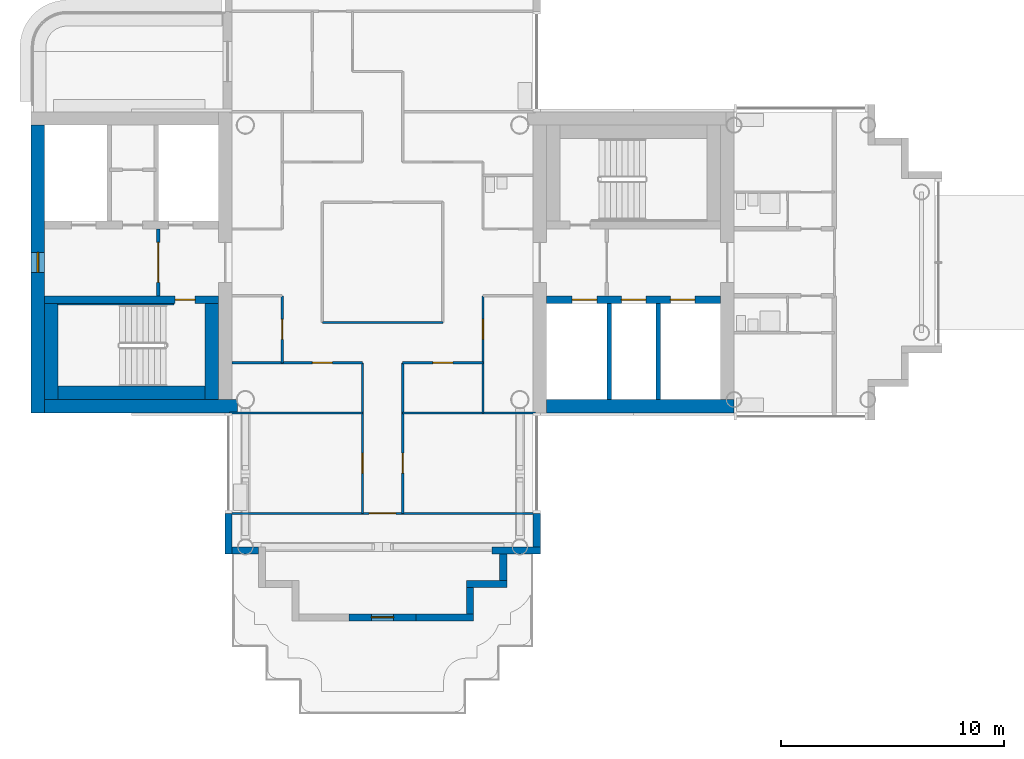
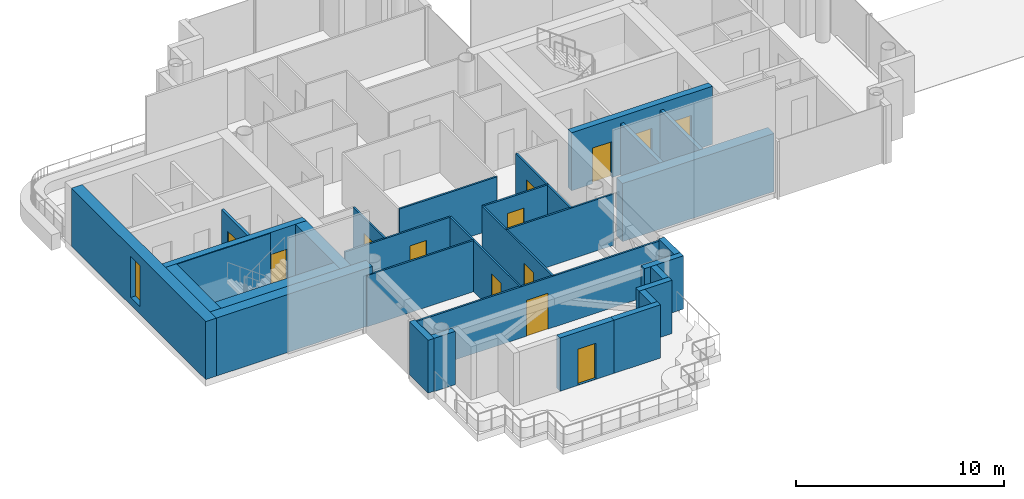
# One storey, part 7 of 19: 31 walls, 13 doors, 1 window, 14 openings.
"""IFC4 building model written with IfcOpenShell, lengths in metres."""

import ifcopenshell
import ifcopenshell.guid

model = None  # the IFC model being written
_history = None  # IfcOwnerHistory: only IFC2X3 demands one
_inside = {}  # id of a spatial element -> (the spatial element, [elements in it])
_under = {}  # id of a project, library or spatial element -> (it, [spatial elements below it])
_declared = {}  # id of a project -> (the project, [libraries it declares])
_typed = {}  # id of a type object -> (the type object, [elements of that type])
_made_of = {}  # id of a material, layer set ... -> (it, [elements and type objects made of it])


def new_model(schema):
    """Start an empty IFC model of exactly this schema.

    Asked for "IFC4X3", IfcOpenShell would pick the latest addendum, in which some entities
    have other attributes; the version numbers below select the first issue.
    IFC2X3 requires an IfcOwnerHistory on every rooted entity: one is made here for all.
    """
    global model, _history
    if schema == "IFC4X3":
        model = ifcopenshell.file(schema_version=(4, 3, 0, 0))
    else:
        model = ifcopenshell.file(schema=schema)
    _inside.clear()
    _under.clear()
    _declared.clear()
    _typed.clear()
    _made_of.clear()
    _history = None
    if model.schema == "IFC2X3":
        org = make("IfcOrganization", Name="unknown")
        user = make(
            "IfcPersonAndOrganization",
            ThePerson=make("IfcPerson", FamilyName="unknown"),
            TheOrganization=org,
        )
        app = make(
            "IfcApplication",
            ApplicationDeveloper=org,
            Version="unknown",
            ApplicationFullName="unknown",
            ApplicationIdentifier="unknown",
        )
        _history = make(
            "IfcOwnerHistory",
            OwningUser=user,
            OwningApplication=app,
            ChangeAction="ADDED",
            CreationDate=0,
        )
    return model


def make(cls, **values):
    """One entity of the class cls with the attributes given. An attribute that is None is left unset."""
    return model.create_entity(
        cls, **{name: value for name, value in values.items() if value is not None}
    )


def rooted(cls, **values):
    """An entity with a GlobalId (a new one), such as an element, a storey or a relation."""
    return make(cls, GlobalId=ifcopenshell.guid.new(), OwnerHistory=_history, **values)


def si_unit(unit_type, name, prefix=None):
    """IfcSIUnit, for example si_unit("LENGTHUNIT", "METRE", prefix="MILLI")."""
    return make("IfcSIUnit", UnitType=unit_type, Prefix=prefix, Name=name)


def assignment(units):
    """IfcUnitAssignment: the units of a project."""
    return None if units is None else make("IfcUnitAssignment", Units=units)


def point(xyz):
    """IfcCartesianPoint."""
    return None if xyz is None else make("IfcCartesianPoint", Coordinates=xyz)


def direction(xyz):
    """IfcDirection."""
    return None if xyz is None else make("IfcDirection", DirectionRatios=xyz)


def frame(location, z_axis=None, x_axis=None):
    """IfcAxis2Placement3D, a coordinate frame: its origin and axes. An axis left out is left unset."""
    return make(
        "IfcAxis2Placement3D",
        Location=point(location),
        Axis=direction(z_axis),
        RefDirection=direction(x_axis),
    )


def frame_2d(location, x_axis=None):
    """IfcAxis2Placement2D, a coordinate frame in the plane: its origin and x axis."""
    return make(
        "IfcAxis2Placement2D", Location=point(location), RefDirection=direction(x_axis)
    )


def origin():
    """The frame at (0, 0, 0) with its axes left unset."""
    return frame((0.0, 0.0, 0.0))


def place(relative_to, where):
    """IfcLocalPlacement: puts the frame where relative to a parent placement (None: the world)."""
    return make(
        "IfcLocalPlacement", PlacementRelTo=relative_to, RelativePlacement=where
    )


def context(
    kind, dimensions, precision=None, world=None, true_north=None, identifier=None
):
    """IfcGeometricRepresentationContext, for example the 3D "Model" context."""
    return make(
        "IfcGeometricRepresentationContext",
        ContextIdentifier=identifier,
        ContextType=kind,
        CoordinateSpaceDimension=dimensions,
        Precision=precision,
        WorldCoordinateSystem=world,
        TrueNorth=true_north,
    )


def subcontext(parent, identifier, kind, view, scale=None):
    """IfcGeometricRepresentationSubContext, for example "Body" below "Model"."""
    return make(
        "IfcGeometricRepresentationSubContext",
        ContextIdentifier=identifier,
        ContextType=kind,
        ParentContext=parent,
        TargetScale=scale,
        TargetView=view,
    )


def project(units=None, contexts=None):
    """IfcProject with its units and contexts."""
    return rooted(
        "IfcProject",
        Name="project",
        RepresentationContexts=contexts,
        UnitsInContext=assignment(units),
    )


def spatial(cls, under=None, at=None, **own):
    """A site, building, storey or space (cls), placed at a placement, below another one or the project."""
    s = rooted(cls, ObjectPlacement=at, **own)
    if under is not None:
        _under.setdefault(under.id(), (under, []))[1].append(s)
    return s


def profile(cls, at=None, kind="AREA", **sizes):
    """A parametric profile (cls). Its sizes go by their IFC names, for example OverallWidth=200.0."""
    return make(cls, ProfileType=kind, Position=at, **sizes)


def rectangle(**sizes):
    """IfcRectangleProfileDef."""
    return profile("IfcRectangleProfileDef", **sizes)


def extrude(swept, where, along, depth):
    """IfcExtrudedAreaSolid: the profile swept, set in the frame where, extruded along a direction by depth."""
    return make(
        "IfcExtrudedAreaSolid",
        SweptArea=swept,
        Position=where,
        ExtrudedDirection=direction(along),
        Depth=depth,
    )


def shape(context_of_items, identifier, shape_type, items):
    """IfcShapeRepresentation: the items that make up one representation, for example the "Body"."""
    return make(
        "IfcShapeRepresentation",
        ContextOfItems=context_of_items,
        RepresentationIdentifier=identifier,
        RepresentationType=shape_type,
        Items=items,
    )


def material(Name=None, Category=None):
    """IfcMaterial."""
    return make("IfcMaterial", Name=Name, Category=Category)


def layer(
    of_material, thickness, ventilated=None, Name=None, Category=None, Priority=None
):
    """IfcMaterialLayer: one layer of a wall or slab, of a material (None: an air gap)."""
    return make(
        "IfcMaterialLayer",
        Material=of_material,
        LayerThickness=thickness,
        IsVentilated=ventilated,
        Name=Name,
        Category=Category,
        Priority=Priority,
    )


def layer_set(layers, Name=None):
    """IfcMaterialLayerSet."""
    return make("IfcMaterialLayerSet", MaterialLayers=layers, LayerSetName=Name)


def made_of(thing, what):
    """Note that an element or type object is made of a material, layer set ...; save() writes the relation."""
    if what is not None:
        _made_of.setdefault(what.id(), (what, []))[1].append(thing)
    return thing


def type_object(cls, material=None, **own):
    """A type object (cls), such as IfcWallType, which elements share."""
    return made_of(rooted(cls, **own), material)


def element(
    cls,
    number,
    at=None,
    inside=None,
    cuts=None,
    type_object=None,
    material=None,
    context=None,
    identifier="Body",
    shape_type=None,
    held_by="IfcProductDefinitionShape",
    body=None,
    shapes=None,
    **own,
):
    """One element of the class cls, such as IfcWall. Its Tag is "e" and its number.

    at: its placement. inside: the storey or other place that contains it. cuts: it is an
    opening in that element (IfcRelVoidsElement). A single representation is given by context,
    identifier, shape_type and body (its items); several are given by shapes. held_by: the class
    of the entity that holds the representations. save() writes the other relations.
    """
    e = rooted(cls, Tag="e%d" % number, ObjectPlacement=at, **own)
    if body is not None:
        shapes = [shape(context, identifier, shape_type, body)]
    if shapes is not None:
        e.Representation = make(held_by, Representations=shapes)
    if inside is not None:
        _inside.setdefault(inside.id(), (inside, []))[1].append(e)
    if cuts is not None:
        rooted(
            "IfcRelVoidsElement", RelatingBuildingElement=cuts, RelatedOpeningElement=e
        )
    if type_object is not None:
        _typed.setdefault(type_object.id(), (type_object, []))[1].append(e)
    return made_of(e, material)


def fill(opening, filler):
    """IfcRelFillsElement: the door or window that sits in an opening."""
    return rooted(
        "IfcRelFillsElement",
        RelatingOpeningElement=opening,
        RelatedBuildingElement=filler,
    )


def aggregate(whole, parts):
    """IfcRelAggregates: a whole, such as a stair, and the parts it consists of."""
    return rooted("IfcRelAggregates", RelatingObject=whole, RelatedObjects=parts)


def save(model, path):
    """Write the relations noted so far, then the file.

    IfcRelAggregates (storeys below a building ...), IfcRelContainedInSpatialStructure (elements
    in a storey), IfcRelDefinesByType, IfcRelAssociatesMaterial and IfcRelDeclares: one each for
    every whole, place, type object, material and project.
    """
    for whole, parts in _under.values():
        aggregate(whole, parts)
    for where, things in _inside.values():
        rooted(
            "IfcRelContainedInSpatialStructure",
            RelatedElements=things,
            RelatingStructure=where,
        )
    for kind, things in _typed.values():
        rooted("IfcRelDefinesByType", RelatedObjects=things, RelatingType=kind)
    for what, things in _made_of.values():
        rooted("IfcRelAssociatesMaterial", RelatedObjects=things, RelatingMaterial=what)
    for by, libraries in _declared.values():
        rooted("IfcRelDeclares", RelatingContext=by, RelatedDefinitions=libraries)
    model.write(path)


model = new_model("IFC4")

# Units and contexts
model_context = context("Model", 3, precision=1e-05, world=origin(), true_north=direction((0.0, 1.0)))
body_context = subcontext(model_context, "Body", "Model", "MODEL_VIEW")
ifc_project = project(units=[si_unit("LENGTHUNIT", "METRE"), si_unit("AREAUNIT", "SQUARE_METRE"), si_unit("VOLUMEUNIT", "CUBIC_METRE"), si_unit("PLANEANGLEUNIT", "RADIAN"), si_unit("MASSUNIT", "GRAM", prefix="KILO")], contexts=[model_context])

# Site, building, storey
site_placement = place(None, origin())
site = spatial("IfcSite", under=ifc_project, at=site_placement, CompositionType="ELEMENT")
building_placement = place(site_placement, origin())
building = spatial("IfcBuilding", under=site, at=building_placement, Name="Ipe Terrace Towers", CompositionType="ELEMENT")
storey_placement = place(building_placement, frame((0.0, 0.0, 185.800048828125)))
storey = spatial("IfcBuildingStorey", under=building, at=storey_placement, Name="L51", CompositionType="ELEMENT", Elevation=185.800048828125)

# Walls
ifc_material_1 = material(Name="Concrete C40/50 with buff precast cladding", Category="concrete")
ifc_layer_1 = layer(ifc_material_1, 0.320068359375)
ifc_layer_set_1 = layer_set([ifc_layer_1], Name="BUFF CLADDING WALL 320")
wall_type_1 = type_object("IfcWallType", Name="BUFF CLADDING WALL 320", PredefinedType="STANDARD", material=ifc_layer_set_1)
wall_1_placement = place(storey_placement, frame((-42.909912109375, -11.25, 0.0), z_axis=(0.0, 0.0, 1.0), x_axis=(0.0, -1.0, 0.0)))
element("IfcWall", 1, at=wall_1_placement, inside=storey, type_object=wall_type_1, Name="T1-W-L51-03a wall", PredefinedType="STANDARD", context=body_context, shape_type="SweptSolid", body=[
    extrude(rectangle(XDim=1.820068359375, YDim=0.320068359375, at=frame_2d((0.91015625, 0.0))), origin(), (0.0, 0.0, 1.0), 3.099853515625),
])
wall_2_placement = place(storey_placement, frame((-42.75, -12.909912109375, -0.02001953125), z_axis=(0.0, 0.0, 1.0), x_axis=(1.0, 0.0, 0.0)))
element("IfcWall", 2, at=wall_2_placement, inside=storey, type_object=wall_type_1, Name="T1-W-L51-04a wall", PredefinedType="STANDARD", context=body_context, shape_type="SweptSolid", body=[
    extrude(rectangle(XDim=1.179931640625, YDim=0.320068359375, at=frame_2d((0.58984375, 0.0))), origin(), (0.0, 0.0, 1.0), 3.119873046875),
])

# Wall, opening, door
wall_3_placement = place(storey_placement, frame((-37.5, -15.909912109375, -0.02001953125), z_axis=(0.0, 0.0, 1.0), x_axis=(1.0, 0.0, 0.0)))
wall_3 = element("IfcWall", 3, at=wall_3_placement, inside=storey, type_object=wall_type_1, Name="T1-W-L51-08b wall", PredefinedType="STANDARD", context=body_context, shape_type="SweptSolid", body=[
    extrude(rectangle(XDim=3.0, YDim=0.320068359375, at=frame_2d((1.5, 0.0))), origin(), (0.0, 0.0, 1.0), 3.119873046875),
])
opening_1_placement = place(wall_3_placement, frame((1.0, 0.0, 0.02001953125)))
opening_1 = element("IfcOpeningElement", 4, at=opening_1_placement, cuts=wall_3, Name="Opening T1-D-L51-08", PredefinedType="OPENING", context=body_context, shape_type="SweptSolid", body=[
    extrude(rectangle(XDim=1.0, YDim=2.10009765625, at=frame_2d((0.5, 1.050048828125))), frame((0.0, 0.169921875, 0.0), z_axis=(0.0, -1.0, 0.0), x_axis=(1.0, 0.0, 0.0)), (0.0, 0.0, 1.0), 0.340087890625),
])
ifc_material_2 = material(Name="Aluminium alloy 6063-T6 framed glazed door", Category="aluminium")
door_type_1 = type_object("IfcDoorType", Name="TERRACE DOOR 1000 x 2100", OperationType="SINGLE_SWING_LEFT", PredefinedType="DOOR", material=ifc_material_2)
door_1_placement = place(opening_1_placement, origin())
door_1 = element("IfcDoor", 5, at=door_1_placement, inside=storey, type_object=door_type_1, Name="DT1 door", OperationType="SINGLE_SWING_LEFT", OverallHeight=2.10009765625, OverallWidth=1.0, PredefinedType="DOOR", context=body_context, shape_type="SweptSolid", body=[
    extrude(rectangle(XDim=1.0, YDim=2.10009765625, at=frame_2d((0.5, 1.050048828125))), frame((0.0, 0.02490234375, 0.0), z_axis=(0.0, -1.0, 0.0), x_axis=(1.0, 0.0, 0.0)), (0.0, 0.0, 1.0), 0.050048828125),
])
fill(opening_1, door_1)

# Walls
wall_4_placement = place(storey_placement, frame((-34.5, -15.909912109375, -0.02001953125), z_axis=(0.0, 0.0, 1.0), x_axis=(1.0, 0.0, 0.0)))
element("IfcWall", 6, at=wall_4_placement, inside=storey, type_object=wall_type_1, Name="T1-W-L51-08c wall", PredefinedType="STANDARD", context=body_context, shape_type="SweptSolid", body=[
    extrude(rectangle(XDim=2.570068359375, YDim=0.320068359375, at=frame_2d((1.28515625, 0.0))), origin(), (0.0, 0.0, 1.0), 3.119873046875),
])
wall_5_placement = place(storey_placement, frame((-32.090087890625, -15.75, -0.02001953125), z_axis=(0.0, 0.0, 1.0), x_axis=(0.0, 1.0, 0.0)))
element("IfcWall", 7, at=wall_5_placement, inside=storey, type_object=wall_type_1, Name="T1-W-L51-09a wall", PredefinedType="STANDARD", context=body_context, shape_type="SweptSolid", body=[
    extrude(rectangle(XDim=1.179931640625, YDim=0.320068359375, at=frame_2d((0.58984375, 0.0))), origin(), (0.0, 0.0, 1.0), 3.119873046875),
])
wall_6_placement = place(storey_placement, frame((-32.25, -14.409912109375, -0.02001953125), z_axis=(0.0, 0.0, 1.0), x_axis=(1.0, 0.0, 0.0)))
element("IfcWall", 8, at=wall_6_placement, inside=storey, type_object=wall_type_1, Name="T1-W-L51-10a wall", PredefinedType="STANDARD", context=body_context, shape_type="SweptSolid", body=[
    extrude(rectangle(XDim=1.820068359375, YDim=0.320068359375, at=frame_2d((0.91015625, 0.0))), origin(), (0.0, 0.0, 1.0), 3.119873046875),
])
wall_7_placement = place(storey_placement, frame((-30.590087890625, -14.25, -0.02001953125), z_axis=(0.0, 0.0, 1.0), x_axis=(0.0, 1.0, 0.0)))
element("IfcWall", 9, at=wall_7_placement, inside=storey, type_object=wall_type_1, Name="T1-W-L51-11a wall", PredefinedType="STANDARD", context=body_context, shape_type="SweptSolid", body=[
    extrude(rectangle(XDim=1.179931640625, YDim=0.320068359375, at=frame_2d((0.58984375, 0.0))), origin(), (0.0, 0.0, 1.0), 3.119873046875),
])
wall_8_placement = place(storey_placement, frame((-31.094970703125, -12.909912109375, -0.02001953125), z_axis=(0.0, 0.0, 1.0), x_axis=(1.0, 0.0, 0.0)))
element("IfcWall", 10, at=wall_8_placement, inside=storey, type_object=wall_type_1, Name="T1-W-L51-12a wall", PredefinedType="STANDARD", context=body_context, shape_type="SweptSolid", body=[
    extrude(rectangle(XDim=2.1650390625, YDim=0.320068359375, at=frame_2d((1.08251953125, 0.0))), origin(), (0.0, 0.0, 1.0), 3.119873046875),
])
wall_9_placement = place(storey_placement, frame((-29.090087890625, -12.75, 0.0), z_axis=(0.0, 0.0, 1.0), x_axis=(0.0, 1.0, 0.0)))
element("IfcWall", 11, at=wall_9_placement, inside=storey, type_object=wall_type_1, Name="T1-W-L51-13a wall", PredefinedType="STANDARD", context=body_context, shape_type="SweptSolid", body=[
    extrude(rectangle(XDim=1.5, YDim=0.320068359375, at=frame_2d((0.75, 0.0))), origin(), (0.0, 0.0, 1.0), 3.099853515625),
])

# Wall, opening, door
ifc_material_3 = material(Name="Gypsum board partition", Category="plasterboard")
ifc_layer_2 = layer(ifc_material_3, 0.10009765625)
ifc_layer_set_2 = layer_set([ifc_layer_2], Name="Gypsum board partition 100 mm")
wall_type_2 = type_object("IfcWallType", Name="Gypsum board partition 100 mm", PredefinedType="PARTITIONING", material=ifc_layer_set_2)
wall_10_placement = place(storey_placement, frame((-40.5, -4.5, 0.0), z_axis=(0.0, 0.0, 1.0), x_axis=(0.0, 1.0, 0.0)))
wall_10 = element("IfcWall", 12, at=wall_10_placement, inside=storey, type_object=wall_type_2, Name="Gypsum board partition T1 L51 W01", PredefinedType="PARTITIONING", context=body_context, shape_type="SweptSolid", body=[
    extrude(rectangle(XDim=3.0, YDim=0.10009765625, at=frame_2d((1.5, 0.0))), origin(), (0.0, 0.0, 1.0), 3.0),
])
opening_2_placement = place(wall_10_placement, frame((1.050048828125, 0.0, 0.0)))
opening_2 = element("IfcOpeningElement", 13, at=opening_2_placement, cuts=wall_10, Name="Opening T1-Z4C-07", PredefinedType="OPENING", context=body_context, shape_type="SweptSolid", body=[
    extrude(rectangle(XDim=0.89990234375, YDim=2.10009765625, at=frame_2d((0.449951171875, 1.050048828125))), frame((0.0, 0.06005859375, 0.0), z_axis=(0.0, -1.0, 0.0), x_axis=(1.0, 0.0, 0.0)), (0.0, 0.0, 1.0), 0.1201171875),
])
ifc_material_4 = material(Name="Timber door leaf", Category="wood")
door_type_2 = type_object("IfcDoorType", Name="Lounge door 900 x 2100", OperationType="NOTDEFINED", PredefinedType="DOOR", material=ifc_material_4)
door_2_placement = place(opening_2_placement, origin())
door_2 = element("IfcDoor", 14, at=door_2_placement, inside=storey, type_object=door_type_2, Name="Lounge door T1-Z4C-07", OperationType="SINGLE_SWING_LEFT", OverallHeight=2.10009765625, OverallWidth=0.89990234375, PredefinedType="DOOR", context=body_context, shape_type="SweptSolid", body=[
    extrude(rectangle(XDim=0.89990234375, YDim=2.10009765625, at=frame_2d((0.449951171875, 1.050048828125))), frame((0.0, 0.02490234375, 0.0), z_axis=(0.0, -1.0, 0.0), x_axis=(1.0, 0.0, 0.0)), (0.0, 0.0, 1.0), 0.050048828125),
])
fill(opening_2, door_2)

wall_11_placement = place(storey_placement, frame((-36.89990234375, -11.25, 0.0), z_axis=(0.0, 0.0, 1.0), x_axis=(0.0, 1.0, 0.0)))
wall_11 = element("IfcWall", 15, at=wall_11_placement, inside=storey, type_object=wall_type_2, Name="Gypsum board partition T1 L51 W06", PredefinedType="PARTITIONING", context=body_context, shape_type="SweptSolid", body=[
    extrude(rectangle(XDim=6.75, YDim=0.10009765625, at=frame_2d((3.375, 0.0))), origin(), (0.0, 0.0, 1.0), 3.0),
])
opening_3_placement = place(wall_11_placement, frame((1.800048828125, 0.0, 0.0)))
opening_3 = element("IfcOpeningElement", 16, at=opening_3_placement, cuts=wall_11, Name="Opening T1-Z4C-14", PredefinedType="OPENING", context=body_context, shape_type="SweptSolid", body=[
    extrude(rectangle(XDim=0.89990234375, YDim=2.10009765625, at=frame_2d((0.449951171875, 1.050048828125))), frame((0.0, 0.06005859375, 0.0), z_axis=(0.0, -1.0, 0.0), x_axis=(1.0, 0.0, 0.0)), (0.0, 0.0, 1.0), 0.1201171875),
])
door_3_placement = place(opening_3_placement, origin())
door_3 = element("IfcDoor", 17, at=door_3_placement, inside=storey, type_object=door_type_2, Name="Lounge door T1-Z4C-14", OperationType="SINGLE_SWING_RIGHT", OverallHeight=2.10009765625, OverallWidth=0.89990234375, PredefinedType="DOOR", context=body_context, shape_type="SweptSolid", body=[
    extrude(rectangle(XDim=0.89990234375, YDim=2.10009765625, at=frame_2d((0.449951171875, 1.050048828125))), frame((0.0, 0.02490234375, 0.0), z_axis=(0.0, -1.0, 0.0), x_axis=(1.0, 0.0, 0.0)), (0.0, 0.0, 1.0), 0.050048828125),
])
fill(opening_3, door_3)

wall_12_placement = place(storey_placement, frame((-35.10009765625, -11.25, 0.0), z_axis=(0.0, 0.0, 1.0), x_axis=(0.0, 1.0, 0.0)))
wall_12 = element("IfcWall", 18, at=wall_12_placement, inside=storey, type_object=wall_type_2, Name="Gypsum board partition T1 L51 W08", PredefinedType="PARTITIONING", context=body_context, shape_type="SweptSolid", body=[
    extrude(rectangle(XDim=6.75, YDim=0.10009765625, at=frame_2d((3.375, 0.0))), origin(), (0.0, 0.0, 1.0), 3.0),
])
opening_4_placement = place(wall_12_placement, frame((1.800048828125, 0.0, 0.0)))
opening_4 = element("IfcOpeningElement", 19, at=opening_4_placement, cuts=wall_12, Name="Opening T1-Z4C-13", PredefinedType="OPENING", context=body_context, shape_type="SweptSolid", body=[
    extrude(rectangle(XDim=0.89990234375, YDim=2.10009765625, at=frame_2d((0.449951171875, 1.050048828125))), frame((0.0, 0.06005859375, 0.0), z_axis=(0.0, -1.0, 0.0), x_axis=(1.0, 0.0, 0.0)), (0.0, 0.0, 1.0), 0.1201171875),
])
door_4_placement = place(opening_4_placement, origin())
door_4 = element("IfcDoor", 20, at=door_4_placement, inside=storey, type_object=door_type_2, Name="Lounge door T1-Z4C-13", OperationType="SINGLE_SWING_LEFT", OverallHeight=2.10009765625, OverallWidth=0.89990234375, PredefinedType="DOOR", context=body_context, shape_type="SweptSolid", body=[
    extrude(rectangle(XDim=0.89990234375, YDim=2.10009765625, at=frame_2d((0.449951171875, 1.050048828125))), frame((0.0, 0.02490234375, 0.0), z_axis=(0.0, -1.0, 0.0), x_axis=(1.0, 0.0, 0.0)), (0.0, 0.0, 1.0), 0.050048828125),
])
fill(opening_4, door_4)

wall_13_placement = place(storey_placement, frame((-31.5, -6.75, 0.0), z_axis=(0.0, 0.0, 1.0), x_axis=(0.0, 1.0, 0.0)))
wall_13 = element("IfcWall", 21, at=wall_13_placement, inside=storey, type_object=wall_type_2, Name="Gypsum board partition T1 L51 W11", PredefinedType="PARTITIONING", context=body_context, shape_type="SweptSolid", body=[
    extrude(rectangle(XDim=5.25, YDim=0.10009765625, at=frame_2d((2.625, 0.0))), origin(), (0.0, 0.0, 1.0), 3.0),
])
opening_5_placement = place(wall_13_placement, frame((3.300048828125, 0.0, 0.0)))
opening_5 = element("IfcOpeningElement", 22, at=opening_5_placement, cuts=wall_13, Name="Opening T1-Z4C-09", PredefinedType="OPENING", context=body_context, shape_type="SweptSolid", body=[
    extrude(rectangle(XDim=0.89990234375, YDim=2.10009765625, at=frame_2d((0.449951171875, 1.050048828125))), frame((0.0, 0.06005859375, 0.0), z_axis=(0.0, -1.0, 0.0), x_axis=(1.0, 0.0, 0.0)), (0.0, 0.0, 1.0), 0.1201171875),
])
door_5_placement = place(opening_5_placement, origin())
door_5 = element("IfcDoor", 23, at=door_5_placement, inside=storey, type_object=door_type_2, Name="Lounge door T1-Z4C-09", OperationType="SINGLE_SWING_RIGHT", OverallHeight=2.10009765625, OverallWidth=0.89990234375, PredefinedType="DOOR", context=body_context, shape_type="SweptSolid", body=[
    extrude(rectangle(XDim=0.89990234375, YDim=2.10009765625, at=frame_2d((0.449951171875, 1.050048828125))), frame((0.0, 0.02490234375, 0.0), z_axis=(0.0, -1.0, 0.0), x_axis=(1.0, 0.0, 0.0)), (0.0, 0.0, 1.0), 0.050048828125),
])
fill(opening_5, door_5)

wall_14_placement = place(storey_placement, frame((-42.85009765625, -11.25, 0.0), z_axis=(0.0, 0.0, 1.0), x_axis=(1.0, 0.0, 0.0)))
wall_14 = element("IfcWall", 24, at=wall_14_placement, inside=storey, type_object=wall_type_2, Name="Gypsum board partition T1 L51 W18", PredefinedType="PARTITIONING", context=body_context, shape_type="SweptSolid", body=[
    extrude(rectangle(XDim=13.7001953125, YDim=0.10009765625, at=frame_2d((6.85009765625, 0.0))), origin(), (0.0, 0.0, 1.0), 3.0),
])
opening_6_placement = place(wall_14_placement, frame((6.25, 0.0, 0.0)))
opening_6 = element("IfcOpeningElement", 25, at=opening_6_placement, cuts=wall_14, Name="Opening T1-Z4C-15", PredefinedType="OPENING", context=body_context, shape_type="SweptSolid", body=[
    extrude(rectangle(XDim=1.199951171875, YDim=2.10009765625, at=frame_2d((0.60009765625, 1.050048828125))), frame((0.0, 0.06005859375, 0.0), z_axis=(0.0, -1.0, 0.0), x_axis=(1.0, 0.0, 0.0)), (0.0, 0.0, 1.0), 0.1201171875),
])
ifc_material_5 = material(Name="Timber door leaf", Category="wood")
door_type_3 = type_object("IfcDoorType", Name="Lounge door 1200 x 2100", OperationType="NOTDEFINED", PredefinedType="DOOR", material=ifc_material_5)
door_6_placement = place(opening_6_placement, origin())
door_6 = element("IfcDoor", 26, at=door_6_placement, inside=storey, type_object=door_type_3, Name="Lounge door T1-Z4C-15", OperationType="SINGLE_SWING_RIGHT", OverallHeight=2.10009765625, OverallWidth=1.199951171875, PredefinedType="DOOR", context=body_context, shape_type="SweptSolid", body=[
    extrude(rectangle(XDim=1.199951171875, YDim=2.10009765625, at=frame_2d((0.60009765625, 1.050048828125))), frame((0.0, 0.02490234375, 0.0), z_axis=(0.0, -1.0, 0.0), x_axis=(1.0, 0.0, 0.0)), (0.0, 0.0, 1.0), 0.050048828125),
])
fill(opening_6, door_6)

# Walls
for number, where, z_axis, x_axis, name in (
    (27, (-42.85009765625, -6.75, 0.0), (0.0, 0.0, 1.0), (1.0, 0.0, 0.0), "Gypsum board partition T1 L51 W19"),
    (28, (-35.10009765625, -6.75, 0.0), (0.0, 0.0, 1.0), (1.0, 0.0, 0.0), "Gypsum board partition T1 L51 W20"),
):
    element("IfcWall", number, at=place(storey_placement, frame(where, z_axis=z_axis, x_axis=x_axis)), inside=storey, type_object=wall_type_2, Name=name, PredefinedType="PARTITIONING", context=body_context, shape_type="SweptSolid", body=[
        extrude(rectangle(XDim=5.9501953125, YDim=0.10009765625, at=frame_2d((2.97509765625, 0.0))), origin(), (0.0, 0.0, 1.0), 3.0),
    ])

# Wall, opening, door
wall_15_placement = place(storey_placement, frame((-42.75, -4.5, 0.0), z_axis=(0.0, 0.0, 1.0), x_axis=(1.0, 0.0, 0.0)))
wall_15 = element("IfcWall", 29, at=wall_15_placement, inside=storey, type_object=wall_type_2, Name="Gypsum board partition T1 L51 W21", PredefinedType="PARTITIONING", context=body_context, shape_type="SweptSolid", body=[
    extrude(rectangle(XDim=5.85009765625, YDim=0.10009765625, at=frame_2d((2.925048828125, 0.0))), origin(), (0.0, 0.0, 1.0), 3.0),
])
opening_7_placement = place(wall_15_placement, frame((3.60009765625, 0.0, 0.0)))
opening_7 = element("IfcOpeningElement", 30, at=opening_7_placement, cuts=wall_15, Name="Opening T1-Z4C-06", PredefinedType="OPENING", context=body_context, shape_type="SweptSolid", body=[
    extrude(rectangle(XDim=0.89990234375, YDim=2.10009765625, at=frame_2d((0.449951171875, 1.050048828125))), frame((0.0, 0.06005859375, 0.0), z_axis=(0.0, -1.0, 0.0), x_axis=(1.0, 0.0, 0.0)), (0.0, 0.0, 1.0), 0.1201171875),
])
door_7_placement = place(opening_7_placement, origin())
door_7 = element("IfcDoor", 31, at=door_7_placement, inside=storey, type_object=door_type_2, Name="Lounge door T1-Z4C-06", OperationType="SINGLE_SWING_RIGHT", OverallHeight=2.10009765625, OverallWidth=0.89990234375, PredefinedType="DOOR", context=body_context, shape_type="SweptSolid", body=[
    extrude(rectangle(XDim=0.89990234375, YDim=2.10009765625, at=frame_2d((0.449951171875, 1.050048828125))), frame((0.0, 0.02490234375, 0.0), z_axis=(0.0, -1.0, 0.0), x_axis=(1.0, 0.0, 0.0)), (0.0, 0.0, 1.0), 0.050048828125),
])
fill(opening_7, door_7)

wall_16_placement = place(storey_placement, frame((-35.10009765625, -4.5, 0.0), z_axis=(0.0, 0.0, 1.0), x_axis=(1.0, 0.0, 0.0)))
wall_16 = element("IfcWall", 32, at=wall_16_placement, inside=storey, type_object=wall_type_2, Name="Gypsum board partition T1 L51 W22", PredefinedType="PARTITIONING", context=body_context, shape_type="SweptSolid", body=[
    extrude(rectangle(XDim=3.60009765625, YDim=0.10009765625, at=frame_2d((1.800048828125, 0.0))), origin(), (0.0, 0.0, 1.0), 3.0),
])
opening_8_placement = place(wall_16_placement, frame((1.35009765625, 0.0, 0.0)))
opening_8 = element("IfcOpeningElement", 33, at=opening_8_placement, cuts=wall_16, Name="Opening T1-Z4C-08", PredefinedType="OPENING", context=body_context, shape_type="SweptSolid", body=[
    extrude(rectangle(XDim=0.89990234375, YDim=2.10009765625, at=frame_2d((0.449951171875, 1.050048828125))), frame((0.0, 0.06005859375, 0.0), z_axis=(0.0, -1.0, 0.0), x_axis=(1.0, 0.0, 0.0)), (0.0, 0.0, 1.0), 0.1201171875),
])
door_8_placement = place(opening_8_placement, origin())
door_8 = element("IfcDoor", 34, at=door_8_placement, inside=storey, type_object=door_type_2, Name="Lounge door T1-Z4C-08", OperationType="SINGLE_SWING_RIGHT", OverallHeight=2.10009765625, OverallWidth=0.89990234375, PredefinedType="DOOR", context=body_context, shape_type="SweptSolid", body=[
    extrude(rectangle(XDim=0.89990234375, YDim=2.10009765625, at=frame_2d((0.449951171875, 1.050048828125))), frame((0.0, 0.02490234375, 0.0), z_axis=(0.0, -1.0, 0.0), x_axis=(1.0, 0.0, 0.0)), (0.0, 0.0, 1.0), 0.050048828125),
])
fill(opening_8, door_8)

# Wall
wall_17_placement = place(storey_placement, frame((-38.699951171875, -2.699951171875, 0.0), z_axis=(0.0, 0.0, 1.0), x_axis=(1.0, 0.0, 0.0)))
element("IfcWall", 35, at=wall_17_placement, inside=storey, type_object=wall_type_2, Name="Gypsum board partition T1 L51 W24", PredefinedType="PARTITIONING", context=body_context, shape_type="SweptSolid", body=[
    extrude(rectangle(XDim=5.39990234375, YDim=0.10009765625, at=frame_2d((2.699951171875, 0.0))), origin(), (0.0, 0.0, 1.0), 3.0),
])

# Wall, opening, door
ifc_material_6 = material(Name="Gypsum board partition", Category="plasterboard")
ifc_layer_3 = layer(ifc_material_6, 0.14990234375)
ifc_layer_set_3 = layer_set([ifc_layer_3], Name="Gypsum board partition 150 mm")
wall_type_3 = type_object("IfcWallType", Name="Gypsum board partition 150 mm", PredefinedType="PARTITIONING", material=ifc_layer_set_3)
wall_18_placement = place(storey_placement, frame((-46.050048828125, 1.5, 0.0), z_axis=(0.0, 0.0, 1.0), x_axis=(0.0, -1.0, 0.0)))
wall_18 = element("IfcWall", 36, at=wall_18_placement, inside=storey, type_object=wall_type_3, Name="Gypsum board partition T1 L51 t1c2-lobby-wall", PredefinedType="PARTITIONING", context=body_context, shape_type="SweptSolid", body=[
    extrude(rectangle(XDim=3.0, YDim=0.14990234375, at=frame_2d((1.5, 0.0))), origin(), (0.0, 0.0, 1.0), 3.0),
])
opening_9_placement = place(wall_18_placement, frame((0.60009765625, 0.0, 0.0)))
opening_9 = element("IfcOpeningElement", 37, at=opening_9_placement, cuts=wall_18, Name="Opening T1C2-VD", PredefinedType="OPENING", context=body_context, shape_type="SweptSolid", body=[
    extrude(rectangle(XDim=1.800048828125, YDim=2.10009765625, at=frame_2d((0.89990234375, 1.050048828125))), frame((0.0, 0.0849609375, 0.0), z_axis=(0.0, -1.0, 0.0), x_axis=(1.0, 0.0, 0.0)), (0.0, 0.0, 1.0), 0.169921875),
])
ifc_material_7 = material(Name="Fire-rated timber door leaf", Category="wood")
door_type_4 = type_object("IfcDoorType", Name="Lobby door 1800 x 2100 FD60", OperationType="NOTDEFINED", PredefinedType="DOOR", material=ifc_material_7)
door_9_placement = place(opening_9_placement, origin())
door_9 = element("IfcDoor", 38, at=door_9_placement, inside=storey, type_object=door_type_4, Name="Lobby door T1C2-VD", OperationType="SINGLE_SWING_LEFT", OverallHeight=2.10009765625, OverallWidth=1.800048828125, PredefinedType="DOOR", context=body_context, shape_type="SweptSolid", body=[
    extrude(rectangle(XDim=1.800048828125, YDim=2.10009765625, at=frame_2d((0.89990234375, 1.050048828125))), frame((0.0, 0.02490234375, 0.0), z_axis=(0.0, -1.0, 0.0), x_axis=(1.0, 0.0, 0.0)), (0.0, 0.0, 1.0), 0.050048828125),
])
fill(opening_9, door_9)

# Walls
ifc_material_8 = material(Name="Gypsum board party wall", Category="plasterboard")
ifc_layer_4 = layer(ifc_material_8, 0.199951171875)
ifc_layer_set_4 = layer_set([ifc_layer_4], Name="Gypsum board party wall 200 mm")
wall_type_4 = type_object("IfcWallType", Name="Gypsum board party wall 200 mm", PredefinedType="SOLIDWALL", material=ifc_layer_set_4)
for number, where, z_axis, x_axis, name in (
    (39, (-25.85009765625, -6.14990234375, 0.0), (0.0, 0.0, 1.0), (0.0, 1.0, 0.0), "Gypsum board party wall T1 L51 t1c1-shaft-div1"),
    (40, (-23.64990234375, -6.14990234375, 0.0), (0.0, 0.0, 1.0), (0.0, 1.0, 0.0), "Gypsum board party wall T1 L51 t1c1-shaft-div2"),
):
    element("IfcWall", number, at=place(storey_placement, frame(where, z_axis=z_axis, x_axis=x_axis)), inside=storey, type_object=wall_type_4, Name=name, PredefinedType="SOLIDWALL", context=body_context, shape_type="SweptSolid", body=[
        extrude(rectangle(XDim=4.2998046875, YDim=0.199951171875, at=frame_2d((2.14990234375, 0.0))), origin(), (0.0, 0.0, 1.0), 3.0),
    ])

# Wall, openings, doors
ifc_material_9 = material(Name="Concrete C40/50", Category="concrete")
ifc_layer_5 = layer(ifc_material_9, 0.35009765625)
ifc_layer_set_5 = layer_set([ifc_layer_5], Name="RW350 CORE SPINE WALL 350 C40-50")
wall_type_5 = type_object("IfcWallType", Name="RW350 CORE SPINE WALL 350 C40-50", PredefinedType="SHEAR", material=ifc_layer_set_5)
wall_19_placement = place(storey_placement, frame((-28.64990234375, -1.675048828125, 0.0), z_axis=(0.0, 0.0, 1.0), x_axis=(1.0, 0.0, 0.0)))
wall_19 = element("IfcWall", 41, at=wall_19_placement, inside=storey, type_object=wall_type_5, Name="Core spine wall T1-C1-Z4-SW1", PredefinedType="SHEAR", context=body_context, shape_type="SweptSolid", body=[
    extrude(rectangle(XDim=7.7998046875, YDim=0.35009765625, at=frame_2d((3.89990234375, 0.0))), origin(), (0.0, 0.0, 1.0), 3.39990234375),
])
opening_10_placement = place(wall_19_placement, frame((1.14990234375, 0.0, 0.0)))
opening_10 = element("IfcOpeningElement", 42, at=opening_10_placement, cuts=wall_19, Name="Opening T1C1-LD1", PredefinedType="OPENING", context=body_context, shape_type="SweptSolid", body=[
    extrude(rectangle(XDim=1.10009765625, YDim=2.10009765625, at=frame_2d((0.550048828125, 1.050048828125))), frame((0.0, 0.18505859375, 0.0), z_axis=(0.0, -1.0, 0.0), x_axis=(1.0, 0.0, 0.0)), (0.0, 0.0, 1.0), 0.3701171875),
])
opening_11_placement = place(wall_19_placement, frame((3.35009765625, 0.0, 0.0)))
opening_11 = element("IfcOpeningElement", 43, at=opening_11_placement, cuts=wall_19, Name="Opening T1C1-LD2", PredefinedType="OPENING", context=body_context, shape_type="SweptSolid", body=[
    extrude(rectangle(XDim=1.10009765625, YDim=2.10009765625, at=frame_2d((0.550048828125, 1.050048828125))), frame((0.0, 0.18505859375, 0.0), z_axis=(0.0, -1.0, 0.0), x_axis=(1.0, 0.0, 0.0)), (0.0, 0.0, 1.0), 0.3701171875),
])
opening_12_placement = place(wall_19_placement, frame((5.550048828125, 0.0, 0.0)))
opening_12 = element("IfcOpeningElement", 44, at=opening_12_placement, cuts=wall_19, Name="Opening T1C1-LD3", PredefinedType="OPENING", context=body_context, shape_type="SweptSolid", body=[
    extrude(rectangle(XDim=1.10009765625, YDim=2.10009765625, at=frame_2d((0.550048828125, 1.050048828125))), frame((0.0, 0.18505859375, 0.0), z_axis=(0.0, -1.0, 0.0), x_axis=(1.0, 0.0, 0.0)), (0.0, 0.0, 1.0), 0.3701171875),
])
ifc_material_10 = material(Name="Fire-rated timber door leaf", Category="wood")
door_type_5 = type_object("IfcDoorType", Name="Sliding door 1100 x 2100 FD60", OperationType="SLIDING_TO_LEFT", PredefinedType="DOOR", material=ifc_material_10)
door_10_placement = place(opening_10_placement, origin())
door_10 = element("IfcDoor", 45, at=door_10_placement, inside=storey, type_object=door_type_5, Name="Sliding door T1C1-LD1", OperationType="SLIDING_TO_LEFT", OverallHeight=2.10009765625, OverallWidth=1.10009765625, PredefinedType="DOOR", context=body_context, shape_type="SweptSolid", body=[
    extrude(rectangle(XDim=1.10009765625, YDim=2.10009765625, at=frame_2d((0.550048828125, 1.050048828125))), frame((0.0, 0.02490234375, 0.0), z_axis=(0.0, -1.0, 0.0), x_axis=(1.0, 0.0, 0.0)), (0.0, 0.0, 1.0), 0.050048828125),
])
fill(opening_10, door_10)
door_11_placement = place(opening_11_placement, origin())
door_11 = element("IfcDoor", 46, at=door_11_placement, inside=storey, type_object=door_type_5, Name="Sliding door T1C1-LD2", OperationType="SLIDING_TO_LEFT", OverallHeight=2.10009765625, OverallWidth=1.10009765625, PredefinedType="DOOR", context=body_context, shape_type="SweptSolid", body=[
    extrude(rectangle(XDim=1.10009765625, YDim=2.10009765625, at=frame_2d((0.550048828125, 1.050048828125))), frame((0.0, 0.02490234375, 0.0), z_axis=(0.0, -1.0, 0.0), x_axis=(1.0, 0.0, 0.0)), (0.0, 0.0, 1.0), 0.050048828125),
])
fill(opening_11, door_11)
door_12_placement = place(opening_12_placement, origin())
door_12 = element("IfcDoor", 47, at=door_12_placement, inside=storey, type_object=door_type_5, Name="Sliding door T1C1-LD3", OperationType="SLIDING_TO_LEFT", OverallHeight=2.10009765625, OverallWidth=1.10009765625, PredefinedType="DOOR", context=body_context, shape_type="SweptSolid", body=[
    extrude(rectangle(XDim=1.10009765625, YDim=2.10009765625, at=frame_2d((0.550048828125, 1.050048828125))), frame((0.0, 0.02490234375, 0.0), z_axis=(0.0, -1.0, 0.0), x_axis=(1.0, 0.0, 0.0)), (0.0, 0.0, 1.0), 0.050048828125),
])
fill(opening_12, door_12)

# Wall, opening, door
wall_20_placement = place(storey_placement, frame((-51.14990234375, -1.675048828125, 0.0), z_axis=(0.0, 0.0, 1.0), x_axis=(1.0, 0.0, 0.0)))
wall_20 = element("IfcWall", 48, at=wall_20_placement, inside=storey, type_object=wall_type_5, Name="Core spine wall T1-C2-Z4-SW1", PredefinedType="SHEAR", context=body_context, shape_type="SweptSolid", body=[
    extrude(rectangle(XDim=7.7998046875, YDim=0.35009765625, at=frame_2d((3.89990234375, 0.0))), origin(), (0.0, 0.0, 1.0), 3.39990234375),
])
opening_13_placement = place(wall_20_placement, frame((5.85009765625, 0.0, 0.0)))
opening_13 = element("IfcOpeningElement", 49, at=opening_13_placement, cuts=wall_20, Name="Opening T1C2-SD", PredefinedType="OPENING", context=body_context, shape_type="SweptSolid", body=[
    extrude(rectangle(XDim=0.89990234375, YDim=2.10009765625, at=frame_2d((0.449951171875, 1.050048828125))), frame((0.0, 0.18505859375, 0.0), z_axis=(0.0, -1.0, 0.0), x_axis=(1.0, 0.0, 0.0)), (0.0, 0.0, 1.0), 0.3701171875),
])
ifc_material_11 = material(Name="Fire-rated timber door leaf", Category="wood")
door_type_6 = type_object("IfcDoorType", Name="Stair door 900 x 2100 FD60", OperationType="NOTDEFINED", PredefinedType="DOOR", material=ifc_material_11)
door_13_placement = place(opening_13_placement, origin())
door_13 = element("IfcDoor", 50, at=door_13_placement, inside=storey, type_object=door_type_6, Name="Stair door T1C2-SD", OperationType="SINGLE_SWING_RIGHT", OverallHeight=2.10009765625, OverallWidth=0.89990234375, PredefinedType="DOOR", context=body_context, shape_type="SweptSolid", body=[
    extrude(rectangle(XDim=0.89990234375, YDim=2.10009765625, at=frame_2d((0.449951171875, 1.050048828125))), frame((0.0, 0.02490234375, 0.0), z_axis=(0.0, -1.0, 0.0), x_axis=(1.0, 0.0, 0.0)), (0.0, 0.0, 1.0), 0.050048828125),
])
fill(opening_13, door_13)

# Walls
ifc_material_12 = material(Name="Concrete C40/50", Category="concrete")
ifc_layer_6 = layer(ifc_material_12, 0.050048828125)
ifc_layer_set_6 = layer_set([ifc_layer_6], Name="RW50 CORE INFILL WALL 50 C40-50")
wall_type_6 = type_object("IfcWallType", Name="RW50 CORE INFILL WALL 50 C40-50", PredefinedType="SHEAR", material=ifc_layer_set_6)
wall_21_placement = place(storey_placement, frame((-45.35009765625, -1.875, 0.0), z_axis=(0.0, 0.0, 1.0), x_axis=(-1.0, 0.0, 0.0)))
element("IfcWall", 51, at=wall_21_placement, inside=storey, type_object=wall_type_6, Name="Core infill wall T1-C2-spine-b", PredefinedType="SHEAR", context=body_context, shape_type="SweptSolid", body=[
    extrude(rectangle(XDim=5.199951171875, YDim=0.050048828125, at=frame_2d((2.60009765625, 0.0))), origin(), (0.0, 0.0, 1.0), 3.39990234375),
])
ifc_material_13 = material(Name="Concrete C40/50", Category="concrete")
ifc_layer_7 = layer(ifc_material_13, 0.60009765625)
ifc_layer_set_7 = layer_set([ifc_layer_7], Name="RW600 CORE INFILL WALL 600 C40-50")
wall_type_7 = type_object("IfcWallType", Name="RW600 CORE INFILL WALL 600 C40-50", PredefinedType="SHEAR", material=ifc_layer_set_7)
wall_22_placement = place(storey_placement, frame((-50.85009765625, -1.85009765625, 0.0), z_axis=(0.0, 0.0, 1.0), x_axis=(0.0, -1.0, 0.0)))
element("IfcWall", 52, at=wall_22_placement, inside=storey, type_object=wall_type_7, Name="Core infill wall T1-C2-far", PredefinedType="SHEAR", context=body_context, shape_type="SweptSolid", body=[
    extrude(rectangle(XDim=4.2998046875, YDim=0.60009765625, at=frame_2d((2.14990234375, 0.0))), origin(), (0.0, 0.0, 1.0), 3.39990234375),
])
wall_23_placement = place(storey_placement, frame((-43.949951171875, -5.85009765625, 0.0), z_axis=(0.0, 0.0, 1.0), x_axis=(-1.0, 0.0, 0.0)))
element("IfcWall", 53, at=wall_23_placement, inside=storey, type_object=wall_type_7, Name="Core infill wall T1-C2-back", PredefinedType="SHEAR", context=body_context, shape_type="SweptSolid", body=[
    extrude(rectangle(XDim=6.60009765625, YDim=0.60009765625, at=frame_2d((3.300048828125, 0.0))), origin(), (0.0, 0.0, 1.0), 3.39990234375),
])
wall_24_placement = place(storey_placement, frame((-43.64990234375, -1.85009765625, 0.0), z_axis=(0.0, 0.0, 1.0), x_axis=(0.0, -1.0, 0.0)))
element("IfcWall", 54, at=wall_24_placement, inside=storey, type_object=wall_type_7, Name="Core infill wall T1-C2-near", PredefinedType="SHEAR", context=body_context, shape_type="SweptSolid", body=[
    extrude(rectangle(XDim=4.2998046875, YDim=0.60009765625, at=frame_2d((2.14990234375, 0.0))), origin(), (0.0, 0.0, 1.0), 3.39990234375),
])
ifc_material_14 = material(Name="Concrete C40/50", Category="concrete")
ifc_layer_8 = layer(ifc_material_14, 0.60009765625)
ifc_layer_set_8 = layer_set([ifc_layer_8], Name="RW600 CORE WALL 600 C40-50")
wall_type_8 = type_object("IfcWallType", Name="RW600 CORE WALL 600 C40-50", PredefinedType="SHEAR", material=ifc_layer_set_8)
wall_25_placement = place(storey_placement, frame((-28.64990234375, -6.449951171875, 0.0), z_axis=(0.0, 0.0, 1.0), x_axis=(1.0, 0.0, 0.0)))
element("IfcWall", 55, at=wall_25_placement, inside=storey, type_object=wall_type_8, Name="Core wall T1-C1-Z4-W01", PredefinedType="SHEAR", context=body_context, shape_type="SweptSolid", body=[
    extrude(rectangle(XDim=8.39990234375, YDim=0.60009765625, at=frame_2d((4.199951171875, 0.0))), origin(), (0.0, 0.0, 1.0), 3.39990234375),
])
wall_26_placement = place(storey_placement, frame((-51.14990234375, -6.449951171875, 0.0), z_axis=(0.0, 0.0, 1.0), x_axis=(1.0, 0.0, 0.0)))
element("IfcWall", 56, at=wall_26_placement, inside=storey, type_object=wall_type_8, Name="Core wall T1-C2-Z4-W01", PredefinedType="SHEAR", context=body_context, shape_type="SweptSolid", body=[
    extrude(rectangle(XDim=8.64794921875, YDim=0.60009765625, at=frame_2d((4.323974609375, 0.0))), origin(), (0.0, 0.0, 1.0), 3.39990234375),
])

# Wall, opening, window
wall_27_placement = place(storey_placement, frame((-51.449951171875, 6.14990234375, 0.0), z_axis=(0.0, 0.0, 1.0), x_axis=(0.0, -1.0, 0.0)))
wall_27 = element("IfcWall", 57, at=wall_27_placement, inside=storey, type_object=wall_type_8, Name="Core wall T1-C2-Z4-W04", PredefinedType="SHEAR", context=body_context, shape_type="SweptSolid", body=[
    extrude(rectangle(XDim=12.89990234375, YDim=0.60009765625, at=frame_2d((6.449951171875, 0.0))), origin(), (0.0, 0.0, 1.0), 3.39990234375),
])
opening_14_placement = place(wall_27_placement, frame((5.699951171875, 0.0, 0.449951171875)))
opening_14 = element("IfcOpeningElement", 58, at=opening_14_placement, cuts=wall_27, Name="Opening T1-C2-W-01-L51", PredefinedType="OPENING", context=body_context, shape_type="SweptSolid", body=[
    extrude(rectangle(XDim=0.89990234375, YDim=2.39990234375, at=frame_2d((0.449951171875, 1.199951171875))), frame((0.0, 0.31005859375, 0.0), z_axis=(0.0, -1.0, 0.0), x_axis=(1.0, 0.0, 0.0)), (0.0, 0.0, 1.0), 0.6201171875),
])
ifc_material_15 = material(Name="Fire-resistant glazing EI 60", Category="glass")
window_type = type_object("IfcWindowType", Name="CORRIDOR END SLOT WINDOW 900 x 2400 EI 60", PartitioningType="SINGLE_PANEL", PredefinedType="WINDOW", material=ifc_material_15)
window_placement = place(opening_14_placement, origin())
window = element("IfcWindow", 59, at=window_placement, inside=storey, type_object=window_type, Name="W-01 window", OverallHeight=2.39990234375, OverallWidth=0.89990234375, PartitioningType="SINGLE_PANEL", PredefinedType="WINDOW", context=body_context, shape_type="SweptSolid", body=[
    extrude(rectangle(XDim=0.89990234375, YDim=2.39990234375, at=frame_2d((0.449951171875, 1.199951171875))), frame((0.0, 0.030029296875, 0.0), z_axis=(0.0, -1.0, 0.0), x_axis=(1.0, 0.0, 0.0)), (0.0, 0.0, 1.0), 0.06005859375),
])
fill(opening_14, window)

save(model, "model.ifc")
